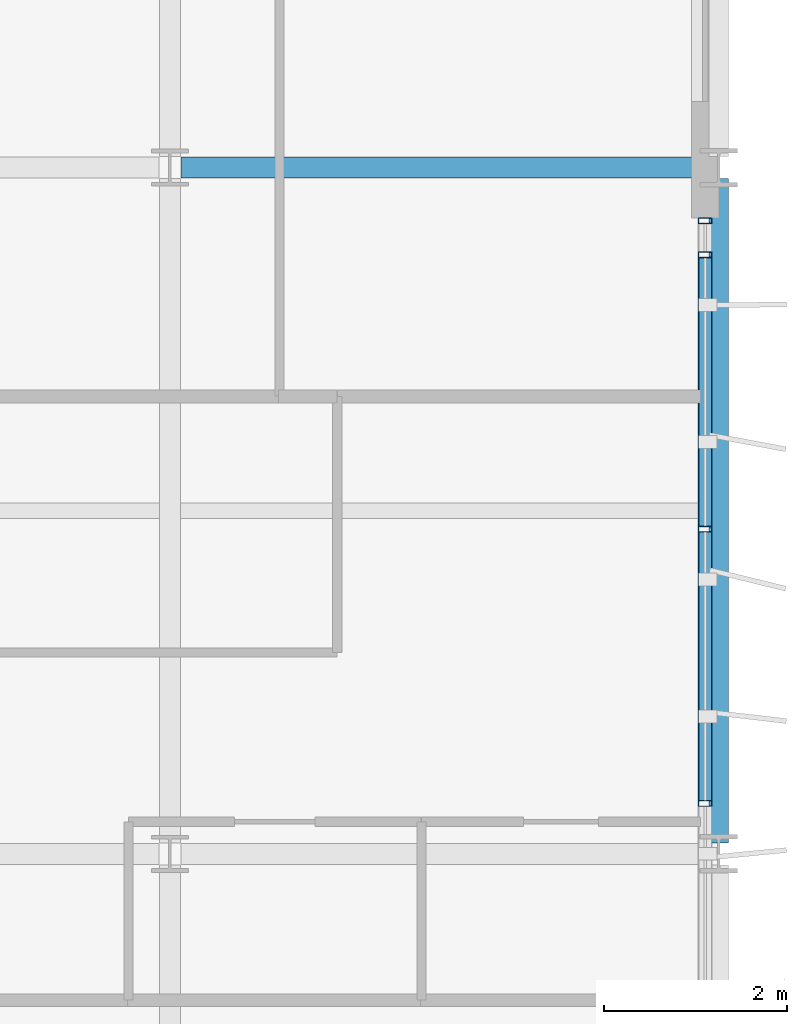
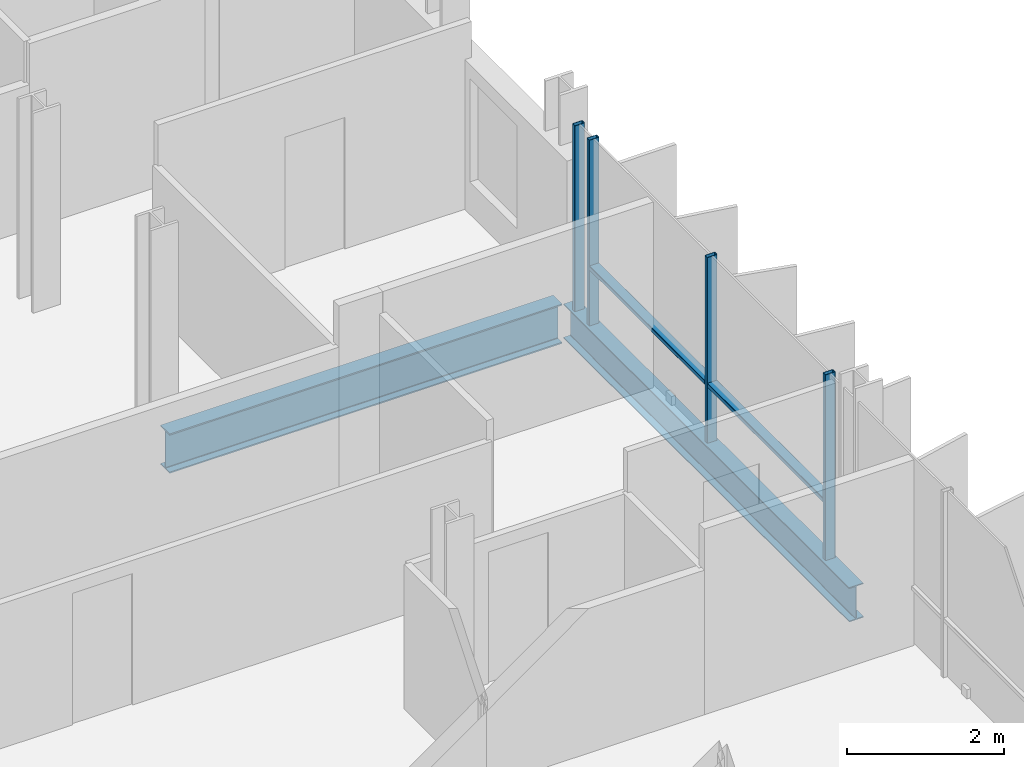
# One storey, part 21 of 40: 6 members, 2 beams, 1 element without a shape of its own.
"""IFC4 building model written with IfcOpenShell, lengths in metres."""

from ifc_helpers import new_model, si_unit, direction, frame, origin, origin_2d, place, context, subcontext, project, spatial, hollow_rectangle, i_section, extrude, material, layer, layer_set, material_profile, profile_set, type_object, element, aggregate, save


model = new_model("IFC4")

# Units and contexts
model_context = context("Model", 3, precision=1e-05, world=origin(), true_north=direction((0.0, 1.0)))
body_context = subcontext(model_context, "Body", "Model", "MODEL_VIEW")
ifc_project = project(units=[si_unit("LENGTHUNIT", "METRE"), si_unit("AREAUNIT", "SQUARE_METRE"), si_unit("VOLUMEUNIT", "CUBIC_METRE"), si_unit("PLANEANGLEUNIT", "RADIAN"), si_unit("MASSUNIT", "GRAM", prefix="KILO")], contexts=[model_context])

# Site, building, storey
site_placement = place(None, origin())
site = spatial("IfcSite", under=ifc_project, at=site_placement, CompositionType="ELEMENT")
building_placement = place(site_placement, origin())
building = spatial("IfcBuilding", under=site, at=building_placement, Name="Brevholm Reach", CompositionType="ELEMENT")
storey_placement = place(building_placement, frame((0.0, 0.0, 148.0)))
storey = spatial("IfcBuildingStorey", under=building, at=storey_placement, Name="L44", CompositionType="ELEMENT", Elevation=148.0)

# Beams
ifc_material_1 = material(Name="Structural Steel S355J2", Category="steel")
ifc_material_profile_1 = material_profile(ifc_material_1, i_section(OverallWidth=0.209228515625, OverallDepth=0.533203125, WebThickness=0.010009765625, FlangeThickness=0.015625, FilletRadius=0.0126953125, at=origin_2d()), Name="UKB 533x210x92")
ifc_profile_set_1 = profile_set([ifc_material_profile_1], Name="Structural Steel S355J2")
beam_type_1 = type_object("IfcBeamType", Name="BM-SP533", PredefinedType="SPANDREL", material=ifc_profile_set_1)
beam_1_placement = place(storey_placement, frame((60.0, 16.1201171875, -0.486572265625), z_axis=(0.0, 1.0, 0.0), x_axis=(-1.0, 0.0, 0.0)))
element("IfcBeam", 1, at=beam_1_placement, inside=storey, type_object=beam_type_1, Name="L44 SP-02 Framing Beam", PredefinedType="SPANDREL", context=body_context, shape_type="SweptSolid", body=[
    extrude(i_section(OverallWidth=0.209228515625, OverallDepth=0.533203125, WebThickness=0.010009765625, FlangeThickness=0.015625, FilletRadius=0.0126953125, at=origin_2d()), origin(), (0.0, 0.0, 1.0), 7.259765625),
])
ifc_material_2 = material(Name="Structural Steel S355J2", Category="steel")
ifc_material_profile_2 = material_profile(ifc_material_2, i_section(OverallWidth=0.22900390625, OverallDepth=0.6123046875, WebThickness=0.011962890625, FlangeThickness=0.01953125, FilletRadius=0.0126953125, at=origin_2d()), Name="UKB 610x229x125")
ifc_profile_set_2 = profile_set([ifc_material_profile_2], Name="Structural Steel S355J2")
beam_type_2 = type_object("IfcBeamType", Name="BM-SP610", PredefinedType="SPANDREL", material=ifc_profile_set_2)
beam_2_placement = place(storey_placement, frame((54.1201171875, 23.5, -0.526123046875), z_axis=(1.0, 0.0, 0.0), x_axis=(0.0, 1.0, 0.0)))
element("IfcBeam", 2, at=beam_2_placement, inside=storey, type_object=beam_type_2, Name="L44 SP-01 Framing Beam", PredefinedType="SPANDREL", context=body_context, shape_type="SweptSolid", body=[
    extrude(i_section(OverallWidth=0.22900390625, OverallDepth=0.6123046875, WebThickness=0.011962890625, FlangeThickness=0.01953125, FilletRadius=0.0126953125, at=origin_2d()), origin(), (0.0, 0.0, 1.0), 5.759765625),
])

# Curtain wall, members
ifc_material_3 = material(Name="Dark Anodised Aluminium 6063-T6 and Solar-Control Glass", Category="aluminium")
ifc_layer = layer(ifc_material_3, 0.14990234375)
ifc_layer_set = layer_set([ifc_layer], Name="Dark Anodised Aluminium 6063-T6 and Solar-Control Glass")
curtain_wall_type = type_object("IfcCurtainWallType", Name="CW-01", PredefinedType="NOTDEFINED", material=ifc_layer_set)
curtain_wall_placement = place(storey_placement, origin())
curtain_wall = element("IfcCurtainWall", 3, at=curtain_wall_placement, inside=storey, type_object=curtain_wall_type, Name="L44 Curtain Wall CW-01", PredefinedType="NOTDEFINED")
ifc_material_4 = material(Name="Dark Anodised Aluminium 6063-T6", Category="aluminium")
ifc_material_profile_3 = material_profile(ifc_material_4, hollow_rectangle(XDim=0.06494140625, YDim=0.14990234375, WallThickness=0.0048828125, InnerFilletRadius=0.0048828125, OuterFilletRadius=0.010009765625, at=origin_2d()), Name="RHS 150x65x5")
ifc_profile_set_3 = profile_set([ifc_material_profile_3], Name="Dark Anodised Aluminium 6063-T6")
member_type_1 = type_object("IfcMemberType", Name="CWM-150", PredefinedType="MULLION", material=ifc_profile_set_3)
member_1_placement = place(storey_placement, frame((59.85009765625, 16.550048828125, 0.0), z_axis=(0.0, 0.0, 1.0), x_axis=(0.0, 1.0, 0.0)))
member_1 = element("IfcMember", 4, at=member_1_placement, type_object=member_type_1, Name="CM-150 Mullion 3", PredefinedType="MULLION", context=body_context, shape_type="SweptSolid", body=[
    extrude(hollow_rectangle(XDim=0.06494140625, YDim=0.14990234375, WallThickness=0.0048828125, InnerFilletRadius=0.0048828125, OuterFilletRadius=0.010009765625, at=origin_2d()), origin(), (0.0, 0.0, 1.0), 2.8798828125),
])
member_2_placement = place(storey_placement, frame((59.85009765625, 19.550048828125, 0.0), z_axis=(0.0, 0.0, 1.0), x_axis=(0.0, 1.0, 0.0)))
member_2 = element("IfcMember", 5, at=member_2_placement, type_object=member_type_1, Name="CM-150 Mullion 4", PredefinedType="MULLION", context=body_context, shape_type="SweptSolid", body=[
    extrude(hollow_rectangle(XDim=0.06494140625, YDim=0.14990234375, WallThickness=0.0048828125, InnerFilletRadius=0.0048828125, OuterFilletRadius=0.010009765625, at=origin_2d()), origin(), (0.0, 0.0, 1.0), 2.8798828125),
])
member_3_placement = place(storey_placement, frame((59.85009765625, 22.550048828125, 0.0), z_axis=(0.0, 0.0, 1.0), x_axis=(0.0, 1.0, 0.0)))
member_3 = element("IfcMember", 6, at=member_3_placement, type_object=member_type_1, Name="CM-150 Mullion 5", PredefinedType="MULLION", context=body_context, shape_type="SweptSolid", body=[
    extrude(hollow_rectangle(XDim=0.06494140625, YDim=0.14990234375, WallThickness=0.0048828125, InnerFilletRadius=0.0048828125, OuterFilletRadius=0.010009765625, at=origin_2d()), origin(), (0.0, 0.0, 1.0), 2.8798828125),
])
member_4_placement = place(storey_placement, frame((59.85009765625, 22.91748046875, 0.0), z_axis=(0.0, 0.0, 1.0), x_axis=(0.0, 1.0, 0.0)))
member_4 = element("IfcMember", 7, at=member_4_placement, type_object=member_type_1, Name="CM-150 Mullion 6", PredefinedType="MULLION", context=body_context, shape_type="SweptSolid", body=[
    extrude(hollow_rectangle(XDim=0.06494140625, YDim=0.14990234375, WallThickness=0.0048828125, InnerFilletRadius=0.0048828125, OuterFilletRadius=0.010009765625, at=origin_2d()), origin(), (0.0, 0.0, 1.0), 2.8798828125),
])
ifc_material_5 = material(Name="Dark Anodised Aluminium 6063-T6", Category="aluminium")
ifc_material_profile_4 = material_profile(ifc_material_5, hollow_rectangle(XDim=0.06494140625, YDim=0.14990234375, WallThickness=0.0048828125, InnerFilletRadius=0.0048828125, OuterFilletRadius=0.010009765625, at=origin_2d()), Name="RHS 150x65x5")
ifc_profile_set_4 = profile_set([ifc_material_profile_4], Name="Dark Anodised Aluminium 6063-T6")
member_type_2 = type_object("IfcMemberType", Name="CWT-150", PredefinedType="NOTDEFINED", material=ifc_profile_set_4)
member_5_placement = place(storey_placement, frame((59.85009765625, 16.58251953125, 0.89990234375), z_axis=(0.0, 1.0, 0.0), x_axis=(0.0, 0.0, 1.0)))
member_5 = element("IfcMember", 8, at=member_5_placement, type_object=member_type_2, Name="CT-150 Transom 3.1", ObjectType="TRANSOM", PredefinedType="USERDEFINED", context=body_context, shape_type="SweptSolid", body=[
    extrude(hollow_rectangle(XDim=0.06494140625, YDim=0.14990234375, WallThickness=0.0048828125, InnerFilletRadius=0.0048828125, OuterFilletRadius=0.010009765625, at=origin_2d()), origin(), (0.0, 0.0, 1.0), 2.93505859375),
])
member_6_placement = place(storey_placement, frame((59.85009765625, 19.58251953125, 0.89990234375), z_axis=(0.0, 1.0, 0.0), x_axis=(0.0, 0.0, 1.0)))
member_6 = element("IfcMember", 9, at=member_6_placement, type_object=member_type_2, Name="CT-150 Transom 4.1", ObjectType="TRANSOM", PredefinedType="USERDEFINED", context=body_context, shape_type="SweptSolid", body=[
    extrude(hollow_rectangle(XDim=0.06494140625, YDim=0.14990234375, WallThickness=0.0048828125, InnerFilletRadius=0.0048828125, OuterFilletRadius=0.010009765625, at=origin_2d()), origin(), (0.0, 0.0, 1.0), 2.93505859375),
])
aggregate(curtain_wall, [member_1, member_2, member_3, member_4, member_5, member_6])

save(model, "model.ifc")
